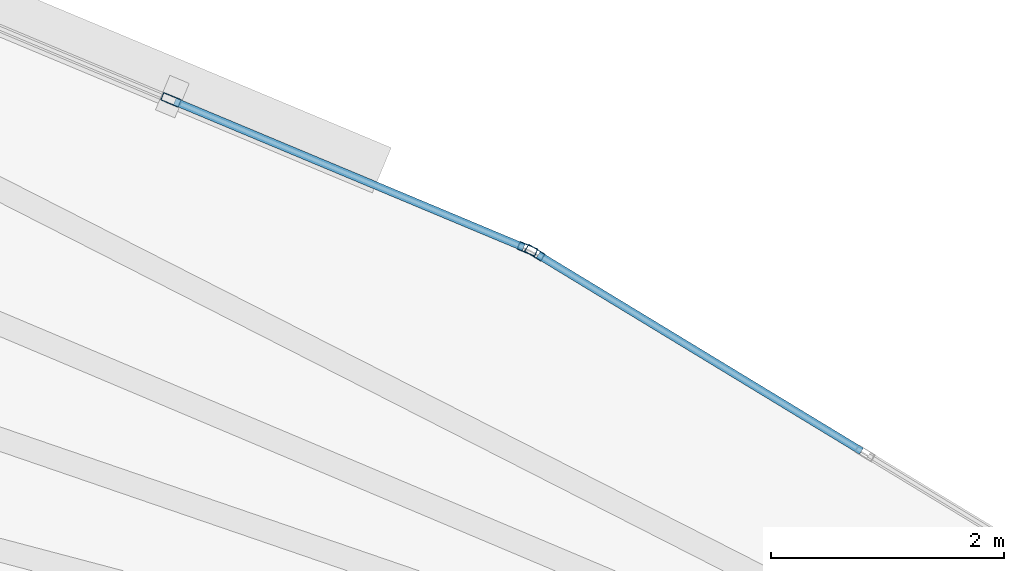
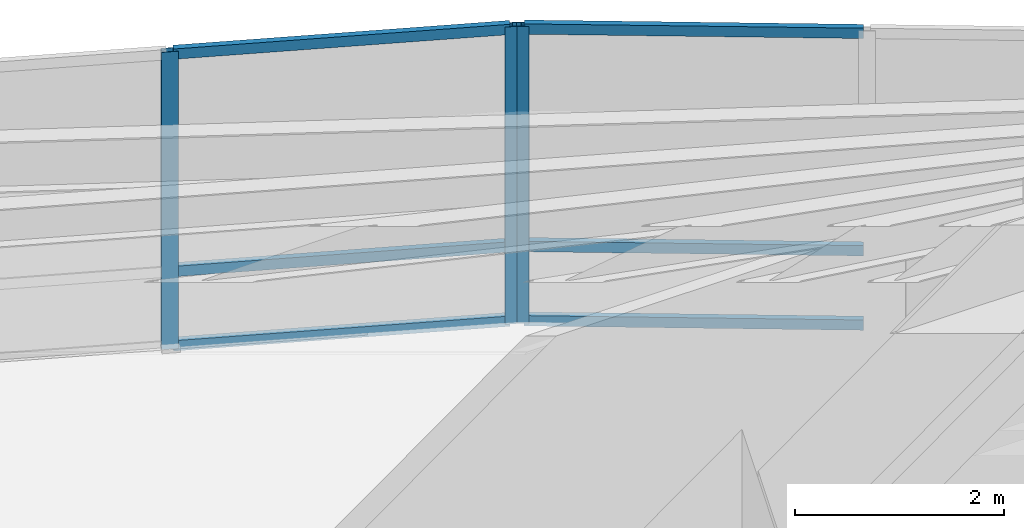
# One storey, part 12 of 17: 9 members, 2 elements without a shape of their own.
"""IFC4 building model written with IfcOpenShell, lengths in metres."""

from ifc_helpers import new_model, si_unit, direction, frame, origin, origin_2d, place, context, subcontext, project, spatial, hollow_rectangle, extrude, material, layer, layer_set, material_profile, profile_set, type_object, element, aggregate, save


model = new_model("IFC4")

# Units and contexts
model_context = context("Model", 3, precision=1e-05, world=origin(), true_north=direction((0.0, 1.0)))
body_context = subcontext(model_context, "Body", "Model", "MODEL_VIEW")
ifc_project = project(units=[si_unit("LENGTHUNIT", "METRE"), si_unit("AREAUNIT", "SQUARE_METRE"), si_unit("VOLUMEUNIT", "CUBIC_METRE"), si_unit("PLANEANGLEUNIT", "RADIAN"), si_unit("MASSUNIT", "GRAM", prefix="KILO")], contexts=[model_context])

# Site, building, storey
site_placement = place(None, origin())
site = spatial("IfcSite", under=ifc_project, at=site_placement, CompositionType="ELEMENT")
building_placement = place(site_placement, origin())
building = spatial("IfcBuilding", under=site, at=building_placement, Name="Menara Vayukalpa", CompositionType="ELEMENT")
storey_placement = place(building_placement, frame((0.0, 0.0, 42.47998046875)))
storey = spatial("IfcBuildingStorey", under=building, at=storey_placement, Name="L09", CompositionType="ELEMENT", Elevation=42.47998046875)

# Curtain wall, member
ifc_material_1 = material(Name="Anodised Terracotta Aluminium Alloy 6063-T6", Category="masonry")
ifc_layer = layer(ifc_material_1, 0.1650390625)
ifc_layer_set = layer_set([ifc_layer], Name="Anodised Terracotta Aluminium Alloy 6063-T6")
curtain_wall_type = type_object("IfcCurtainWallType", Name="CW-CW2", PredefinedType="USERDEFINED", material=ifc_layer_set)
curtain_wall_1_placement = place(storey_placement, origin())
curtain_wall_1 = element("IfcCurtainWall", 1, at=curtain_wall_1_placement, inside=storey, type_object=curtain_wall_type, Name="L09 Low Rise Terracotta Ribbon Curtain Wall CW2 04", ObjectType="UNITISED", PredefinedType="USERDEFINED")
ifc_material_2 = material(Name="Anodised Terracotta Aluminium Alloy 6063-T6", Category="masonry")
ifc_material_profile_1 = material_profile(ifc_material_2, hollow_rectangle(XDim=0.070068359375, YDim=0.1650390625, WallThickness=0.00390625, at=origin_2d()), Name="ALU 70x165x4")
ifc_profile_set_1 = profile_set([ifc_material_profile_1], Name="Anodised Terracotta Aluminium Alloy 6063-T6")
member_type_1 = type_object("IfcMemberType", Name="CWM-CW2", PredefinedType="MULLION", material=ifc_profile_set_1)
member_1_placement = place(storey_placement, frame((30.125, 32.30126953125, 0.0), z_axis=(0.0, 0.0, 1.0), x_axis=(-0.519181964377, -0.854663727945, 0.0)))
member_1 = element("IfcMember", 2, at=member_1_placement, type_object=member_type_1, Name="CW2 mullion 3", PredefinedType="MULLION", context=body_context, shape_type="SweptSolid", body=[
    extrude(hollow_rectangle(XDim=0.070068359375, YDim=0.1650390625, WallThickness=0.00390625, at=origin_2d()), origin(), (0.0, 0.0, 1.0), 3.469970703125),
])

# Curtain wall, members
curtain_wall_2_placement = place(storey_placement, origin())
curtain_wall_2 = element("IfcCurtainWall", 3, at=curtain_wall_2_placement, inside=storey, type_object=curtain_wall_type, Name="L09 Low Rise Terracotta Ribbon Curtain Wall CW2 05", ObjectType="UNITISED", PredefinedType="USERDEFINED")
member_2_placement = place(storey_placement, frame((30.062744140625, 32.3330078125, 0.0), z_axis=(0.0, 0.0, 1.0), x_axis=(-0.385895120445, -0.922542658101, 0.0)))
member_2 = element("IfcMember", 4, at=member_2_placement, type_object=member_type_1, Name="CW2 mullion 1", PredefinedType="MULLION", context=body_context, shape_type="SweptSolid", body=[
    extrude(hollow_rectangle(XDim=0.070068359375, YDim=0.1650390625, WallThickness=0.00390625, at=origin_2d()), origin(), (0.0, 0.0, 1.0), 3.469970703125),
])
member_3_placement = place(storey_placement, frame((27.0068359375, 33.611083984375, 0.0), z_axis=(0.0, 0.0, 1.0), x_axis=(-0.385895120445, -0.922542658101, 0.0)))
member_3 = element("IfcMember", 5, at=member_3_placement, type_object=member_type_1, Name="CW2 mullion 2", PredefinedType="MULLION", context=body_context, shape_type="SweptSolid", body=[
    extrude(hollow_rectangle(XDim=0.070068359375, YDim=0.1650390625, WallThickness=0.00390625, at=origin_2d()), origin(), (0.0, 0.0, 1.0), 3.469970703125),
])

# Member
ifc_material_3 = material(Name="Anodised Terracotta Aluminium Alloy 6063-T6", Category="masonry")
ifc_material_profile_2 = material_profile(ifc_material_3, hollow_rectangle(XDim=0.06494140625, YDim=0.1201171875, WallThickness=0.00341796875, at=origin_2d()), Name="ALU 65x120x3.5")
ifc_profile_set_2 = profile_set([ifc_material_profile_2], Name="Anodised Terracotta Aluminium Alloy 6063-T6")
member_type_2 = type_object("IfcMemberType", Name="CWT-CW2", PredefinedType="USERDEFINED", material=ifc_profile_set_2)
member_4_placement = place(storey_placement, frame((32.92626953125, 30.599609375, 0.032470703125), z_axis=(-0.854676552714, 0.519160851992, 0.0), x_axis=(-0.519160851992, -0.854676552714, 0.0)))
member_4 = element("IfcMember", 6, at=member_4_placement, type_object=member_type_2, Name="CW2 transom 2.1", ObjectType="TRANSOM", PredefinedType="USERDEFINED", context=body_context, shape_type="SweptSolid", body=[
    extrude(hollow_rectangle(XDim=0.06494140625, YDim=0.1201171875, WallThickness=0.00341796875, at=origin_2d()), origin(), (0.0, 0.0, 1.0), 3.242431640625),
])

member_5_placement = place(storey_placement, frame((32.92626953125, 30.599609375, 0.89990234375), z_axis=(-0.854676552714, 0.519160851992, 0.0), x_axis=(-0.519160851992, -0.854676552714, 0.0)))
member_5 = element("IfcMember", 7, at=member_5_placement, type_object=member_type_2, Name="CW2 transom 2.2", ObjectType="TRANSOM", PredefinedType="USERDEFINED", context=body_context, shape_type="SweptSolid", body=[
    extrude(hollow_rectangle(XDim=0.06494140625, YDim=0.1201171875, WallThickness=0.00341796875, at=origin_2d()), origin(), (0.0, 0.0, 1.0), 3.242431640625),
])

member_6_placement = place(storey_placement, frame((32.92626953125, 30.599609375, 3.4375), z_axis=(-0.854676552714, 0.519160851992, 0.0), x_axis=(-0.519160851992, -0.854676552714, 0.0)))
member_6 = element("IfcMember", 8, at=member_6_placement, type_object=member_type_2, Name="CW2 transom 2.3", ObjectType="TRANSOM", PredefinedType="USERDEFINED", context=body_context, shape_type="SweptSolid", body=[
    extrude(hollow_rectangle(XDim=0.06494140625, YDim=0.1201171875, WallThickness=0.00341796875, at=origin_2d()), origin(), (0.0, 0.0, 1.0), 3.242431640625),
])

aggregate(curtain_wall_1, [member_1, member_4, member_5, member_6])

member_7_placement = place(storey_placement, frame((30.030517578125, 32.346435546875, 0.032470703125), z_axis=(-0.922552588381, 0.385871379699, 0.0), x_axis=(-0.385871379699, -0.922552588381, 0.0)))
member_7 = element("IfcMember", 9, at=member_7_placement, type_object=member_type_2, Name="CW2 transom 1.1", ObjectType="TRANSOM", PredefinedType="USERDEFINED", context=body_context, shape_type="SweptSolid", body=[
    extrude(hollow_rectangle(XDim=0.06494140625, YDim=0.1201171875, WallThickness=0.00341796875, at=origin_2d()), origin(), (0.0, 0.0, 1.0), 3.24267578125),
])

member_8_placement = place(storey_placement, frame((30.030517578125, 32.346435546875, 0.89990234375), z_axis=(-0.922552588381, 0.385871379699, 0.0), x_axis=(-0.385871379699, -0.922552588381, 0.0)))
member_8 = element("IfcMember", 10, at=member_8_placement, type_object=member_type_2, Name="CW2 transom 1.2", ObjectType="TRANSOM", PredefinedType="USERDEFINED", context=body_context, shape_type="SweptSolid", body=[
    extrude(hollow_rectangle(XDim=0.06494140625, YDim=0.1201171875, WallThickness=0.00341796875, at=origin_2d()), origin(), (0.0, 0.0, 1.0), 3.24267578125),
])

member_9_placement = place(storey_placement, frame((30.030517578125, 32.346435546875, 3.4375), z_axis=(-0.922552588381, 0.385871379699, 0.0), x_axis=(-0.385871379699, -0.922552588381, 0.0)))
member_9 = element("IfcMember", 11, at=member_9_placement, type_object=member_type_2, Name="CW2 transom 1.3", ObjectType="TRANSOM", PredefinedType="USERDEFINED", context=body_context, shape_type="SweptSolid", body=[
    extrude(hollow_rectangle(XDim=0.06494140625, YDim=0.1201171875, WallThickness=0.00341796875, at=origin_2d()), origin(), (0.0, 0.0, 1.0), 3.24267578125),
])

aggregate(curtain_wall_2, [member_2, member_3, member_7, member_8, member_9])

save(model, "model.ifc")
